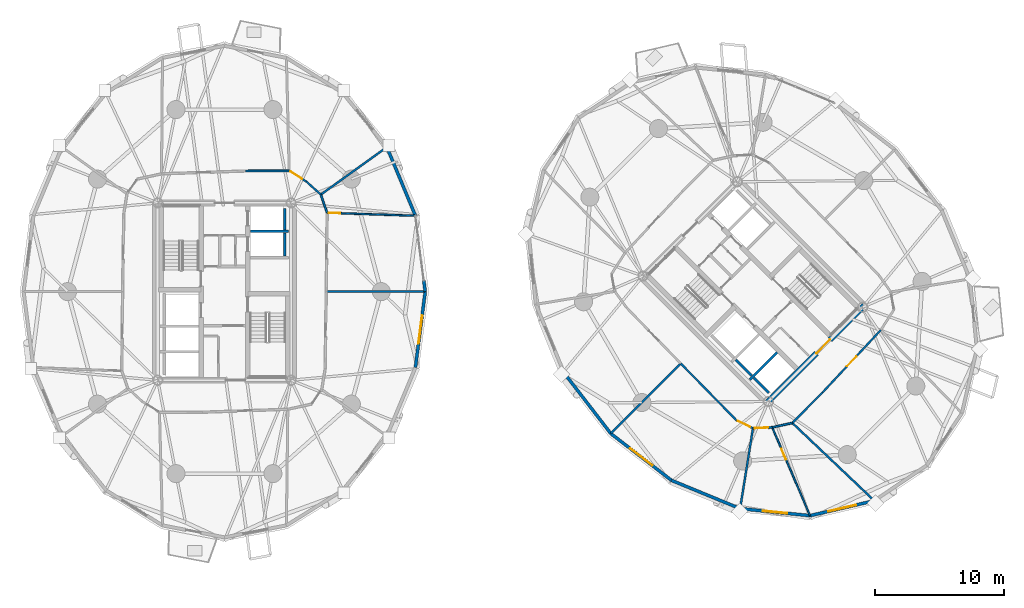
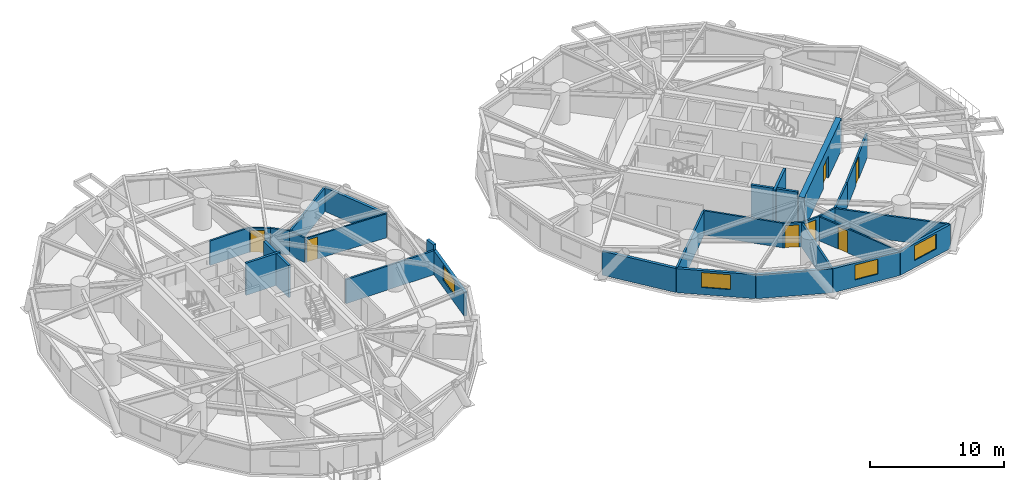
# One storey, part 12 of 19: 32 walls, 7 doors, 4 windows, 11 openings.
"""IFC4 building model written with IfcOpenShell, lengths in metres."""

from ifc_helpers import new_model, si_unit, direction, frame, frame_2d, origin, place, context, subcontext, project, spatial, rectangle, extrude, source, transform, mapped, material, layer, layer_set, type_object, element, fill, save


model = new_model("IFC4")

# Units and contexts
model_context = context("Model", 3, precision=1e-05, world=origin(), true_north=direction((0.0, 1.0)))
body_context = subcontext(model_context, "Body", "Model", "MODEL_VIEW")
ifc_project = project(units=[si_unit("LENGTHUNIT", "METRE"), si_unit("AREAUNIT", "SQUARE_METRE"), si_unit("VOLUMEUNIT", "CUBIC_METRE"), si_unit("PLANEANGLEUNIT", "RADIAN"), si_unit("MASSUNIT", "GRAM", prefix="KILO")], contexts=[model_context])

# Site, building, storey
site_placement = place(None, origin())
site = spatial("IfcSite", under=ifc_project, at=site_placement, CompositionType="ELEMENT")
building_placement = place(site_placement, origin())
building = spatial("IfcBuilding", under=site, at=building_placement, Name="Cununo Teusaquillo Station Towers", CompositionType="ELEMENT")
storey_placement = place(building_placement, frame((0.0, 0.0, 84.699951171875)))
storey = spatial("IfcBuildingStorey", under=building, at=storey_placement, Name="L26", CompositionType="ELEMENT", Elevation=84.699951171875)

# Walls
ifc_material_1 = material(Name="Concrete C50/60", Category="concrete")
ifc_layer_1 = layer(ifc_material_1, 0.199951171875)
ifc_layer_set_1 = layer_set([ifc_layer_1], Name="Concrete C50/60")
wall_type_1 = type_object("IfcWallType", Name="WL-CORE-200", PredefinedType="SHEAR", material=ifc_layer_set_1)
wall_1_placement = place(storey_placement, frame((18.510009765625, 29.175048828125, 0.0), z_axis=(0.0, 0.0, 1.0), x_axis=(1.0, 0.0, 0.0)))
element("IfcWall", 1, at=wall_1_placement, inside=storey, type_object=wall_type_1, Name="L26 Tower A Low-Rise Lift Hoistway Divider Shear Wall", PredefinedType="SHEAR", context=body_context, shape_type="SweptSolid", body=[
    extrude(rectangle(XDim=2.969970703125, YDim=0.199951171875, at=frame_2d((1.48486328125, 0.0))), origin(), (0.0, 0.0, 1.0), 2.91015625),
])
wall_2_placement = place(storey_placement, frame((21.179931640625, 27.25, 0.0), z_axis=(0.0, 0.0, 1.0), x_axis=(0.0, 1.0, 0.0)))
element("IfcWall", 2, at=wall_2_placement, inside=storey, type_object=wall_type_1, Name="L26 Tower A Low-Rise Lift 1 Shaft Rear Shear Wall", PredefinedType="SHEAR", context=body_context, shape_type="SweptSolid", body=[
    extrude(rectangle(XDim=1.804931640625, YDim=0.199951171875, at=frame_2d((0.90234375, 0.0))), origin(), (0.0, 0.0, 1.0), 2.91015625),
])
wall_3_placement = place(storey_placement, frame((21.179931640625, 29.294921875, 0.0), z_axis=(0.0, 0.0, 1.0), x_axis=(0.0, 1.0, 0.0)))
element("IfcWall", 3, at=wall_3_placement, inside=storey, type_object=wall_type_1, Name="L26 Tower A Low-Rise Lift 2 Shaft Rear Shear Wall", PredefinedType="SHEAR", context=body_context, shape_type="SweptSolid", body=[
    extrude(rectangle(XDim=1.635009765625, YDim=0.199951171875, at=frame_2d((0.8173828125, 0.0))), origin(), (0.0, 0.0, 1.0), 2.91015625),
])
wall_4_placement = place(storey_placement, frame((57.2841796875, 17.6728515625, 0.0), z_axis=(0.0, 0.0, 1.0), x_axis=(0.707147878904, 0.70706568108, 0.0)))
element("IfcWall", 4, at=wall_4_placement, inside=storey, type_object=wall_type_1, Name="L26 Tower B High-Rise Lift Hoistway Divider Shear Wall", PredefinedType="SHEAR", context=body_context, shape_type="SweptSolid", body=[
    extrude(rectangle(XDim=2.97021484375, YDim=0.199951171875, at=frame_2d((1.485107421875, 0.0))), origin(), (0.0, 0.0, 1.0), 2.91015625),
])
wall_5_placement = place(storey_placement, frame((57.41162109375, 17.969970703125, 0.0), z_axis=(0.0, 0.0, 1.0), x_axis=(-0.707106781187, 0.707106781187, 0.0)))
element("IfcWall", 5, at=wall_5_placement, inside=storey, type_object=wall_type_1, Name="L26 Tower B High-Rise Lift 2 Shaft Rear Shear Wall", PredefinedType="SHEAR", context=body_context, shape_type="SweptSolid", body=[
    extrude(rectangle(XDim=1.73486328125, YDim=0.199951171875, at=frame_2d((0.867431640625, 0.0))), origin(), (0.0, 0.0, 1.0), 2.91015625),
])
wall_6_placement = place(storey_placement, frame((58.7373046875, 16.64404296875, 0.0), z_axis=(0.0, 0.0, 1.0), x_axis=(-0.707032117043, 0.707181437447, 0.0)))
element("IfcWall", 6, at=wall_6_placement, inside=storey, type_object=wall_type_1, Name="L26 Tower B High-Rise Lift 1 Shaft Rear Shear Wall", PredefinedType="SHEAR", context=body_context, shape_type="SweptSolid", body=[
    extrude(rectangle(XDim=1.635009765625, YDim=0.199951171875, at=frame_2d((0.8173828125, 0.0))), origin(), (0.0, 0.0, 1.0), 2.91015625),
])

# Wall, opening, door
ifc_material_2 = material(Name="Concrete C60/75", Category="concrete")
ifc_layer_2 = layer(ifc_material_2, 0.449951171875)
ifc_layer_set_2 = layer_set([ifc_layer_2], Name="Concrete C60/75")
wall_type_2 = type_object("IfcWallType", Name="WL-CORE-450", PredefinedType="SHEAR", material=ifc_layer_set_2)
wall_7_placement = place(storey_placement, frame((58.578369140625, 15.855712890625, 0.0), z_axis=(0.0, 0.0, 1.0), x_axis=(0.707106781187, 0.707106781187, 0.0)))
wall_7 = element("IfcWall", 7, at=wall_7_placement, inside=storey, type_object=wall_type_2, Name="L26 Tower B Core Shear Wall S", PredefinedType="SHEAR", context=body_context, shape_type="SweptSolid", body=[
    extrude(rectangle(XDim=10.69970703125, YDim=0.449951171875, at=frame_2d((5.349853515625, 0.0))), origin(), (0.0, 0.0, 1.0), 2.91015625),
])
shared_shape_1 = source(origin(), body_context, "Body", "SweptSolid", [
    extrude(rectangle(XDim=1.5, YDim=2.02001953125, at=frame_2d((0.75, 1.010009765625))), frame((0.0, 0.23486328125, 0.0), z_axis=(0.0, -1.0, 0.0), x_axis=(1.0, 0.0, 0.0)), (0.0, 0.0, 1.0), 0.469970703125),
])
opening_1_placement = place(wall_7_placement, frame((5.449951171875, 0.0, 0.0)))
opening_1 = element("IfcOpeningElement", 8, at=opening_1_placement, cuts=wall_7, Name="Opening D-LB1", PredefinedType="OPENING", context=body_context, shape_type="MappedRepresentation", body=[
    mapped(shared_shape_1, transform((0.0, 0.0, 0.0), x_axis=(1.0, 0.0, 0.0), y_axis=(0.0, 1.0, 0.0), z_axis=(0.0, 0.0, 1.0), scale=1.0)),
])
ifc_material_3 = material(Name="Galvanised fire-rated hollow steel door assembly", Category="steel")
door_type_1 = type_object("IfcDoorType", Name="DR-LOBBY-1500", OperationType="DOUBLE_DOOR_SINGLE_SWING", PredefinedType="DOOR", material=ifc_material_3)
shared_shape_2 = source(origin(), body_context, "Body", "SweptSolid", [
    extrude(rectangle(XDim=1.5, YDim=2.02001953125, at=frame_2d((0.75, 1.010009765625))), frame((0.0, 0.02490234375, 0.0), z_axis=(0.0, -1.0, 0.0), x_axis=(1.0, 0.0, 0.0)), (0.0, 0.0, 1.0), 0.050048828125),
])
door_1_placement = place(opening_1_placement, origin())
door_1 = element("IfcDoor", 9, at=door_1_placement, inside=storey, type_object=door_type_1, Name="L26 Tower B South Core Lift Lobby Door", OperationType="DOUBLE_DOOR_SINGLE_SWING", OverallHeight=2.02001953125, OverallWidth=1.5, PredefinedType="DOOR", context=body_context, shape_type="MappedRepresentation", body=[
    mapped(shared_shape_2, transform((0.0, 0.0, 0.0), x_axis=(1.0, 0.0, 0.0), y_axis=(0.0, 1.0, 0.0), z_axis=(0.0, 0.0, 1.0), scale=1.0)),
])
fill(opening_1, door_1)

# Walls
ifc_material_4 = material(Name="Precast concrete C40/50", Category="concrete")
ifc_layer_3 = layer(ifc_material_4, 0.239990234375)
ifc_layer_set_3 = layer_set([ifc_layer_3], Name="Precast concrete C40/50")
wall_type_3 = type_object("IfcWallType", Name="WL-EXT-240", PredefinedType="SOLIDWALL", material=ifc_layer_set_3)
wall_8_placement = place(storey_placement, frame((31.96923828125, 25.36279296875, 0.0), z_axis=(0.0, 0.0, 1.0), x_axis=(0.128523364007, -0.991706481225, 0.0)))
element("IfcWall", 10, at=wall_8_placement, inside=storey, type_object=wall_type_3, Name="L26 Tower A Column Pier Cladding Wall C00-PB", PredefinedType="SOLIDWALL", context=body_context, shape_type="SweptSolid", body=[
    extrude(rectangle(XDim=0.8701171875, YDim=0.239990234375, at=frame_2d((0.43505859375, 0.0))), origin(), (0.0, 0.0, 1.0), 2.655029296875),
])
wall_9_placement = place(storey_placement, frame((29.105224609375, 35.708984375, 0.0), z_axis=(0.0, 0.0, 1.0), x_axis=(0.384344417632, -0.923189779317, 0.0)))
element("IfcWall", 11, at=wall_9_placement, inside=storey, type_object=wall_type_3, Name="L26 Tower A Exterior Facade Wall C01", PredefinedType="SOLIDWALL", context=body_context, shape_type="SweptSolid", body=[
    extrude(rectangle(XDim=5.75830078125, YDim=0.239990234375, at=frame_2d((2.879150390625, 0.0))), origin(), (0.0, 0.0, 1.0), 2.178955078125),
])

# Wall, opening, window
wall_10_placement = place(storey_placement, frame((32.0810546875, 24.5, 0.0), z_axis=(0.0, 0.0, 1.0), x_axis=(-0.128351991996, -0.991728675672, 0.0)))
wall_10 = element("IfcWall", 12, at=wall_10_placement, inside=storey, type_object=wall_type_3, Name="L26 Tower A Exterior Facade Wall C19", PredefinedType="SOLIDWALL", context=body_context, shape_type="SweptSolid", body=[
    extrude(rectangle(XDim=5.942138671875, YDim=0.239990234375, at=frame_2d((2.97119140625, 0.0))), origin(), (0.0, 0.0, 1.0), 2.178955078125),
])
shared_shape_3 = source(origin(), body_context, "Body", "SweptSolid", [
    extrude(rectangle(XDim=2.199951171875, YDim=1.35009765625, at=frame_2d((1.10009765625, 0.675048828125))), frame((0.0, 0.1298828125, 0.0), z_axis=(0.0, -1.0, 0.0), x_axis=(1.0, 0.0, 0.0)), (0.0, 0.0, 1.0), 0.260009765625),
])
opening_2_placement = place(wall_10_placement, frame((1.87109375, 0.0, 0.64990234375)))
opening_2 = element("IfcOpeningElement", 13, at=opening_2_placement, cuts=wall_10, Name="Opening WN-01", PredefinedType="OPENING", context=body_context, shape_type="MappedRepresentation", body=[
    mapped(shared_shape_3, transform((0.0, 0.0, 0.0), x_axis=(1.0, 0.0, 0.0), y_axis=(0.0, 1.0, 0.0), z_axis=(0.0, 0.0, 1.0), scale=1.0)),
])
ifc_material_5 = material(Name="Ceramic-fritted dark low-E double glazing", Category="glass")
window_type_1 = type_object("IfcWindowType", Name="WIN-FRIT-2200", PartitioningType="DOUBLE_PANEL_VERTICAL", PredefinedType="WINDOW", material=ifc_material_5)
shared_shape_4 = source(origin(), body_context, "Body", "SweptSolid", [
    extrude(rectangle(XDim=2.199951171875, YDim=1.35009765625, at=frame_2d((1.10009765625, 0.675048828125))), frame((0.0, 0.030029296875, 0.0), z_axis=(0.0, -1.0, 0.0), x_axis=(1.0, 0.0, 0.0)), (0.0, 0.0, 1.0), 0.06005859375),
])
window_1_placement = place(opening_2_placement, origin())
window_1 = element("IfcWindow", 14, at=window_1_placement, inside=storey, type_object=window_type_1, Name="L26 Tower A Facade Window C19", OverallHeight=1.35009765625, OverallWidth=2.199951171875, PartitioningType="DOUBLE_PANEL_VERTICAL", PredefinedType="WINDOW", context=body_context, shape_type="MappedRepresentation", body=[
    mapped(shared_shape_4, transform((0.0, 0.0, 0.0), x_axis=(1.0, 0.0, 0.0), y_axis=(0.0, 1.0, 0.0), z_axis=(0.0, 0.0, 1.0), scale=1.0)),
])
fill(opening_2, window_1)

# Wall
wall_11_placement = place(storey_placement, frame((46.482666015625, 13.482666015625, 0.0), z_axis=(0.0, 0.0, 1.0), x_axis=(-0.61054437102, 0.791982052206, 0.0)))
element("IfcWall", 15, at=wall_11_placement, inside=storey, type_object=wall_type_3, Name="L26 Tower B Exterior Facade Wall C09", PredefinedType="SOLIDWALL", context=body_context, shape_type="SweptSolid", body=[
    extrude(rectangle(XDim=5.942138671875, YDim=0.239990234375, at=frame_2d((2.97119140625, 0.0))), origin(), (0.0, 0.0, 1.0), 2.178955078125),
])

# Wall, opening, window
wall_12_placement = place(storey_placement, frame((51.188720703125, 9.854736328125, 0.0), z_axis=(0.0, 0.0, 1.0), x_axis=(-0.791982052206, 0.61054437102, 0.0)))
wall_12 = element("IfcWall", 16, at=wall_12_placement, inside=storey, type_object=wall_type_3, Name="L26 Tower B Exterior Facade Wall C10", PredefinedType="SOLIDWALL", context=body_context, shape_type="SweptSolid", body=[
    extrude(rectangle(XDim=5.942138671875, YDim=0.239990234375, at=frame_2d((2.97119140625, 0.0))), origin(), (0.0, 0.0, 1.0), 2.178955078125),
])
opening_3_placement = place(wall_12_placement, frame((1.87109375, 0.0, 0.64990234375)))
opening_3 = element("IfcOpeningElement", 17, at=opening_3_placement, cuts=wall_12, Name="Opening WN-01", PredefinedType="OPENING", context=body_context, shape_type="MappedRepresentation", body=[
    mapped(shared_shape_3, transform((0.0, 0.0, 0.0), x_axis=(1.0, 0.0, 0.0), y_axis=(0.0, 1.0, 0.0), z_axis=(0.0, 0.0, 1.0), scale=1.0)),
])
window_2_placement = place(opening_3_placement, origin())
window_2 = element("IfcWindow", 18, at=window_2_placement, inside=storey, type_object=window_type_1, Name="L26 Tower B Facade Window C10", OverallHeight=1.35009765625, OverallWidth=2.199951171875, PartitioningType="DOUBLE_PANEL_VERTICAL", PredefinedType="WINDOW", context=body_context, shape_type="MappedRepresentation", body=[
    mapped(shared_shape_4, transform((0.0, 0.0, 0.0), x_axis=(1.0, 0.0, 0.0), y_axis=(0.0, 1.0, 0.0), z_axis=(0.0, 0.0, 1.0), scale=1.0)),
])
fill(opening_3, window_2)

# Wall
wall_13_placement = place(storey_placement, frame((56.5126953125, 7.66064453125, 0.0), z_axis=(0.0, 0.0, 1.0), x_axis=(-0.924563909604, 0.381027003055, 0.0)))
element("IfcWall", 19, at=wall_13_placement, inside=storey, type_object=wall_type_3, Name="L26 Tower B Exterior Facade Wall C11", PredefinedType="SOLIDWALL", context=body_context, shape_type="SweptSolid", body=[
    extrude(rectangle(XDim=5.75830078125, YDim=0.239990234375, at=frame_2d((2.879150390625, 0.0))), origin(), (0.0, 0.0, 1.0), 2.178955078125),
])

# Wall, opening, window
wall_14_placement = place(storey_placement, frame((61.933349609375, 7.114990234375, 0.0), z_axis=(0.0, 0.0, 1.0), x_axis=(-0.994971754311, 0.10015591906, 0.0)))
wall_14 = element("IfcWall", 20, at=wall_14_placement, inside=storey, type_object=wall_type_3, Name="L26 Tower B Exterior Facade Wall C12", PredefinedType="SOLIDWALL", context=body_context, shape_type="SweptSolid", body=[
    extrude(rectangle(XDim=5.447998046875, YDim=0.239990234375, at=frame_2d((2.72412109375, 0.0))), origin(), (0.0, 0.0, 1.0), 2.178955078125),
])
shared_shape_5 = source(origin(), body_context, "Body", "SweptSolid", [
    extrude(rectangle(XDim=1.89990234375, YDim=1.35009765625, at=frame_2d((0.949951171875, 0.675048828125))), frame((0.0, 0.1298828125, 0.0), z_axis=(0.0, -1.0, 0.0), x_axis=(1.0, 0.0, 0.0)), (0.0, 0.0, 1.0), 0.260009765625),
])
opening_4_placement = place(wall_14_placement, frame((1.77392578125, 0.0, 0.64990234375)))
opening_4 = element("IfcOpeningElement", 21, at=opening_4_placement, cuts=wall_14, Name="Opening WN-02", PredefinedType="OPENING", context=body_context, shape_type="MappedRepresentation", body=[
    mapped(shared_shape_5, transform((0.0, 0.0, 0.0), x_axis=(1.0, 0.0, 0.0), y_axis=(0.0, 1.0, 0.0), z_axis=(0.0, 0.0, 1.0), scale=1.0)),
])
ifc_material_6 = material(Name="Operable acoustic tinted low-E double glazing", Category="glass")
window_type_2 = type_object("IfcWindowType", Name="WIN-OPER-1900", PartitioningType="DOUBLE_PANEL_VERTICAL", PredefinedType="WINDOW", material=ifc_material_6)
shared_shape_6 = source(origin(), body_context, "Body", "SweptSolid", [
    extrude(rectangle(XDim=1.89990234375, YDim=1.35009765625, at=frame_2d((0.949951171875, 0.675048828125))), frame((0.0, 0.030029296875, 0.0), z_axis=(0.0, -1.0, 0.0), x_axis=(1.0, 0.0, 0.0)), (0.0, 0.0, 1.0), 0.06005859375),
])
window_3_placement = place(opening_4_placement, origin())
window_3 = element("IfcWindow", 22, at=window_3_placement, inside=storey, type_object=window_type_2, Name="L26 Tower B Facade Window C12", OverallHeight=1.35009765625, OverallWidth=1.89990234375, PartitioningType="DOUBLE_PANEL_VERTICAL", PredefinedType="WINDOW", context=body_context, shape_type="MappedRepresentation", body=[
    mapped(shared_shape_6, transform((0.0, 0.0, 0.0), x_axis=(1.0, 0.0, 0.0), y_axis=(0.0, 1.0, 0.0), z_axis=(0.0, 0.0, 1.0), scale=1.0)),
])
fill(opening_4, window_3)

wall_15_placement = place(storey_placement, frame((66.919921875, 8.27099609375, 0.0), z_axis=(0.0, 0.0, 1.0), x_axis=(-0.974165631126, -0.225834725257, 0.0)))
wall_15 = element("IfcWall", 23, at=wall_15_placement, inside=storey, type_object=wall_type_3, Name="L26 Tower B Exterior Facade Wall C13", PredefinedType="SOLIDWALL", context=body_context, shape_type="SweptSolid", body=[
    extrude(rectangle(XDim=5.118896484375, YDim=0.239990234375, at=frame_2d((2.5595703125, 0.0))), origin(), (0.0, 0.0, 1.0), 2.178955078125),
])
opening_5_placement = place(wall_15_placement, frame((1.458984375, 0.0, 0.64990234375)))
opening_5 = element("IfcOpeningElement", 24, at=opening_5_placement, cuts=wall_15, Name="Opening WN-01", PredefinedType="OPENING", context=body_context, shape_type="MappedRepresentation", body=[
    mapped(shared_shape_3, transform((0.0, 0.0, 0.0), x_axis=(1.0, 0.0, 0.0), y_axis=(0.0, 1.0, 0.0), z_axis=(0.0, 0.0, 1.0), scale=1.0)),
])
window_4_placement = place(opening_5_placement, origin())
window_4 = element("IfcWindow", 25, at=window_4_placement, inside=storey, type_object=window_type_1, Name="L26 Tower B Facade Window C13", OverallHeight=1.35009765625, OverallWidth=2.199951171875, PartitioningType="DOUBLE_PANEL_VERTICAL", PredefinedType="WINDOW", context=body_context, shape_type="MappedRepresentation", body=[
    mapped(shared_shape_4, transform((0.0, 0.0, 0.0), x_axis=(1.0, 0.0, 0.0), y_axis=(0.0, 1.0, 0.0), z_axis=(0.0, 0.0, 1.0), scale=1.0)),
])
fill(opening_5, window_4)

# Wall, opening, door
ifc_material_7 = material(Name="Fire-rated gypsum plasterboard partition assembly", Category="gypsum")
ifc_layer_4 = layer(ifc_material_7, 0.125)
ifc_layer_set_4 = layer_set([ifc_layer_4], Name="Fire-rated gypsum plasterboard partition assembly")
wall_type_4 = type_object("IfcWallType", Name="WL-PART-125", PredefinedType="PARTITIONING", material=ifc_layer_set_4)
wall_16_placement = place(storey_placement, frame((24.468994140625, 30.614013671875, 0.0), z_axis=(0.0, 0.0, 1.0), x_axis=(0.999446768925, -0.033258924898, 0.0)))
wall_16 = element("IfcWall", 26, at=wall_16_placement, inside=storey, type_object=wall_type_4, Name="L26 Tower A Senior Partners Law Chambers Suite Subdividing Wall", PredefinedType="PARTITIONING", context=body_context, shape_type="SweptSolid", body=[
    extrude(rectangle(XDim=6.833984375, YDim=0.125, at=frame_2d((3.4169921875, 0.0))), origin(), (0.0, 0.0, 1.0), 2.178955078125),
])
shared_shape_7 = source(origin(), body_context, "Body", "SweptSolid", [
    extrude(rectangle(XDim=0.89990234375, YDim=2.0048828125, at=frame_2d((0.449951171875, 1.00244140625))), frame((0.0, 0.072509765625, 0.0), z_axis=(0.0, -1.0, 0.0), x_axis=(1.0, 0.0, 0.0)), (0.0, 0.0, 1.0), 0.14501953125),
])
opening_6_placement = place(wall_16_placement, frame((0.1201171875, 0.0, 0.0)))
opening_6 = element("IfcOpeningElement", 27, at=opening_6_placement, cuts=wall_16, Name="Opening D-IN1", PredefinedType="OPENING", context=body_context, shape_type="MappedRepresentation", body=[
    mapped(shared_shape_7, transform((0.0, 0.0, 0.0), x_axis=(1.0, 0.0, 0.0), y_axis=(0.0, 1.0, 0.0), z_axis=(0.0, 0.0, 1.0), scale=1.0)),
])
ifc_material_8 = material(Name="Acoustic solid-core hardwood leaf assembly", Category="wood")
door_type_2 = type_object("IfcDoorType", Name="DR-INT-900", OperationType="NOTDEFINED", PredefinedType="DOOR", material=ifc_material_8)
shared_shape_8 = source(origin(), body_context, "Body", "SweptSolid", [
    extrude(rectangle(XDim=0.89990234375, YDim=2.0048828125, at=frame_2d((0.449951171875, 1.00244140625))), frame((0.0, 0.02490234375, 0.0), z_axis=(0.0, -1.0, 0.0), x_axis=(1.0, 0.0, 0.0)), (0.0, 0.0, 1.0), 0.050048828125),
])
door_2_placement = place(opening_6_placement, origin())
door_2 = element("IfcDoor", 28, at=door_2_placement, inside=storey, type_object=door_type_2, Name="L26 Tower A Senior Partners Law Chambers Suite Connecting Door", OperationType="SINGLE_SWING_LEFT", OverallHeight=2.0048828125, OverallWidth=0.89990234375, PredefinedType="DOOR", context=body_context, shape_type="MappedRepresentation", body=[
    mapped(shared_shape_8, transform((0.0, 0.0, 0.0), x_axis=(1.0, 0.0, 0.0), y_axis=(0.0, 1.0, 0.0), z_axis=(0.0, 0.0, 1.0), scale=1.0)),
])
fill(opening_6, door_2)

wall_17_placement = place(storey_placement, frame((59.008056640625, 13.962890625, 0.0), z_axis=(0.0, 0.0, 1.0), x_axis=(0.393439207333, -0.919350635032, 0.0)))
wall_17 = element("IfcWall", 29, at=wall_17_placement, inside=storey, type_object=wall_type_4, Name="L26 Tower B Video Deposition Conference Room Suite Subdividing Wall", PredefinedType="PARTITIONING", context=body_context, shape_type="SweptSolid", body=[
    extrude(rectangle(XDim=7.427001953125, YDim=0.125, at=frame_2d((3.71337890625, 0.0))), origin(), (0.0, 0.0, 1.0), 2.178955078125),
])
opening_7_placement = place(wall_17_placement, frame((1.800048828125, 0.0, 0.0)))
opening_7 = element("IfcOpeningElement", 30, at=opening_7_placement, cuts=wall_17, Name="Opening D-IN1", PredefinedType="OPENING", context=body_context, shape_type="MappedRepresentation", body=[
    mapped(shared_shape_7, transform((0.0, 0.0, 0.0), x_axis=(1.0, 0.0, 0.0), y_axis=(0.0, 1.0, 0.0), z_axis=(0.0, 0.0, 1.0), scale=1.0)),
])
door_3_placement = place(opening_7_placement, origin())
door_3 = element("IfcDoor", 31, at=door_3_placement, inside=storey, type_object=door_type_2, Name="L26 Tower B Video Deposition Conference Room Suite Connecting Door", OperationType="SINGLE_SWING_RIGHT", OverallHeight=2.0048828125, OverallWidth=0.89990234375, PredefinedType="DOOR", context=body_context, shape_type="MappedRepresentation", body=[
    mapped(shared_shape_8, transform((0.0, 0.0, 0.0), x_axis=(1.0, 0.0, 0.0), y_axis=(0.0, 1.0, 0.0), z_axis=(0.0, 0.0, 1.0), scale=1.0)),
])
fill(opening_7, door_3)

# Walls
ifc_material_9 = material(Name="Fire-rated gypsum plasterboard partition assembly", Category="gypsum")
ifc_layer_5 = layer(ifc_material_9, 0.14990234375)
ifc_layer_set_5 = layer_set([ifc_layer_5], Name="Fire-rated gypsum plasterboard partition assembly")
wall_type_5 = type_object("IfcWallType", Name="WL-PART-150", PredefinedType="PARTITIONING", material=ifc_layer_set_5)
wall_18_placement = place(storey_placement, frame((24.468994140625, 30.614013671875, 0.0), z_axis=(0.0, 0.0, 1.0), x_axis=(-0.327228335485, 0.944945298129, 0.0)))
element("IfcWall", 32, at=wall_18_placement, inside=storey, type_object=wall_type_5, Name="L26 Tower A Corridor Ring Wall C01", PredefinedType="PARTITIONING", context=body_context, shape_type="SweptSolid", body=[
    extrude(rectangle(XDim=1.4951171875, YDim=0.14990234375, at=frame_2d((0.74755859375, 0.0))), origin(), (0.0, 0.0, 1.0), 2.22509765625),
])
wall_19_placement = place(storey_placement, frame((23.979736328125, 32.02685546875, 0.0), z_axis=(0.0, 0.0, 1.0), x_axis=(-0.742353224332, 0.670008724065, 0.0)))
element("IfcWall", 33, at=wall_19_placement, inside=storey, type_object=wall_type_5, Name="L26 Tower A Corridor Ring Wall C02", PredefinedType="PARTITIONING", context=body_context, shape_type="SweptSolid", body=[
    extrude(rectangle(XDim=1.48486328125, YDim=0.14990234375, at=frame_2d((0.742431640625, 0.0))), origin(), (0.0, 0.0, 1.0), 2.22509765625),
])

# Wall, opening, door
wall_20_placement = place(storey_placement, frame((22.87744140625, 33.021728515625, 0.0), z_axis=(0.0, 0.0, 1.0), x_axis=(-0.845895608855, 0.533348496689, 0.0)))
wall_20 = element("IfcWall", 34, at=wall_20_placement, inside=storey, type_object=wall_type_5, Name="L26 Tower A Corridor Ring Wall C03", PredefinedType="PARTITIONING", context=body_context, shape_type="SweptSolid", body=[
    extrude(rectangle(XDim=1.5966796875, YDim=0.14990234375, at=frame_2d((0.79833984375, 0.0))), origin(), (0.0, 0.0, 1.0), 2.22509765625),
])
shared_shape_9 = source(origin(), body_context, "Body", "SweptSolid", [
    extrude(rectangle(XDim=1.050048828125, YDim=2.014892578125, at=frame_2d((0.52490234375, 1.00732421875))), frame((0.0, 0.0849609375, 0.0), z_axis=(0.0, -1.0, 0.0), x_axis=(1.0, 0.0, 0.0)), (0.0, 0.0, 1.0), 0.169921875),
])
opening_8_placement = place(wall_20_placement, frame((0.4267578125, 0.0, 0.0)))
opening_8 = element("IfcOpeningElement", 35, at=opening_8_placement, cuts=wall_20, Name="Opening D-SU1", PredefinedType="OPENING", context=body_context, shape_type="MappedRepresentation", body=[
    mapped(shared_shape_9, transform((0.0, 0.0, 0.0), x_axis=(1.0, 0.0, 0.0), y_axis=(0.0, 1.0, 0.0), z_axis=(0.0, 0.0, 1.0), scale=1.0)),
])
ifc_material_10 = material(Name="Acoustic solid-core hardwood leaf assembly", Category="wood")
door_type_3 = type_object("IfcDoorType", Name="DR-SUITE-1050", OperationType="NOTDEFINED", PredefinedType="DOOR", material=ifc_material_10)
shared_shape_10 = source(origin(), body_context, "Body", "SweptSolid", [
    extrude(rectangle(XDim=1.050048828125, YDim=2.014892578125, at=frame_2d((0.52490234375, 1.00732421875))), frame((0.0, 0.02490234375, 0.0), z_axis=(0.0, -1.0, 0.0), x_axis=(1.0, 0.0, 0.0)), (0.0, 0.0, 1.0), 0.050048828125),
])
door_4_placement = place(opening_8_placement, origin())
door_4 = element("IfcDoor", 36, at=door_4_placement, inside=storey, type_object=door_type_3, Name="L26 Tower A Legal Arbitration Hearing Room Entrance Door", OperationType="SINGLE_SWING_RIGHT", OverallHeight=2.014892578125, OverallWidth=1.050048828125, PredefinedType="DOOR", context=body_context, shape_type="MappedRepresentation", body=[
    mapped(shared_shape_10, transform((0.0, 0.0, 0.0), x_axis=(1.0, 0.0, 0.0), y_axis=(0.0, 1.0, 0.0), z_axis=(0.0, 0.0, 1.0), scale=1.0)),
])
fill(opening_8, door_4)

# Walls
wall_21_placement = place(storey_placement, frame((21.52685546875, 33.873291015625, 0.0), z_axis=(0.0, 0.0, 1.0), x_axis=(-0.999991838845, -0.004040079574, 0.0)))
element("IfcWall", 37, at=wall_21_placement, inside=storey, type_object=wall_type_5, Name="L26 Tower A Corridor Ring Wall C04", PredefinedType="PARTITIONING", context=body_context, shape_type="SweptSolid", body=[
    extrude(rectangle(XDim=3.384033203125, YDim=0.14990234375, at=frame_2d((1.69189453125, 0.0))), origin(), (0.0, 0.0, 1.0), 2.22509765625),
])
wall_22_placement = place(storey_placement, frame((51.913818359375, 18.913818359375, 0.0), z_axis=(0.0, 0.0, 1.0), x_axis=(0.699999313799, -0.714143515465, 0.0)))
element("IfcWall", 38, at=wall_22_placement, inside=storey, type_object=wall_type_5, Name="L26 Tower B Corridor Ring Wall C10", PredefinedType="PARTITIONING", context=body_context, shape_type="SweptSolid", body=[
    extrude(rectangle(XDim=6.162109375, YDim=0.14990234375, at=frame_2d((3.0810546875, 0.0))), origin(), (0.0, 0.0, 1.0), 2.22509765625),
])

# Wall, opening, door
wall_23_placement = place(storey_placement, frame((56.227294921875, 14.51318359375, 0.0), z_axis=(0.0, 0.0, 1.0), x_axis=(0.901477579283, -0.432825801044, 0.0)))
wall_23 = element("IfcWall", 39, at=wall_23_placement, inside=storey, type_object=wall_type_5, Name="L26 Tower B Corridor Ring Wall C11", PredefinedType="PARTITIONING", context=body_context, shape_type="SweptSolid", body=[
    extrude(rectangle(XDim=1.42431640625, YDim=0.14990234375, at=frame_2d((0.712158203125, 0.0))), origin(), (0.0, 0.0, 1.0), 2.22509765625),
])
opening_9_placement = place(wall_23_placement, frame((0.1201171875, 0.0, 0.0)))
opening_9 = element("IfcOpeningElement", 40, at=opening_9_placement, cuts=wall_23, Name="Opening D-SU1", PredefinedType="OPENING", context=body_context, shape_type="MappedRepresentation", body=[
    mapped(shared_shape_9, transform((0.0, 0.0, 0.0), x_axis=(1.0, 0.0, 0.0), y_axis=(0.0, 1.0, 0.0), z_axis=(0.0, 0.0, 1.0), scale=1.0)),
])
door_5_placement = place(opening_9_placement, origin())
door_5 = element("IfcDoor", 41, at=door_5_placement, inside=storey, type_object=door_type_3, Name="L26 Tower B Managing Partner Corner Chambers Entrance Door", OperationType="SINGLE_SWING_RIGHT", OverallHeight=2.014892578125, OverallWidth=1.050048828125, PredefinedType="DOOR", context=body_context, shape_type="MappedRepresentation", body=[
    mapped(shared_shape_10, transform((0.0, 0.0, 0.0), x_axis=(1.0, 0.0, 0.0), y_axis=(0.0, 1.0, 0.0), z_axis=(0.0, 0.0, 1.0), scale=1.0)),
])
fill(opening_9, door_5)

wall_24_placement = place(storey_placement, frame((57.51123046875, 13.896728515625, 0.0), z_axis=(0.0, 0.0, 1.0), x_axis=(0.999024538494, 0.044158481476, 0.0)))
wall_24 = element("IfcWall", 42, at=wall_24_placement, inside=storey, type_object=wall_type_5, Name="L26 Tower B Corridor Ring Wall C12", PredefinedType="PARTITIONING", context=body_context, shape_type="SweptSolid", body=[
    extrude(rectangle(XDim=1.498291015625, YDim=0.14990234375, at=frame_2d((0.7490234375, 0.0))), origin(), (0.0, 0.0, 1.0), 2.22509765625),
])
opening_10_placement = place(wall_24_placement, frame((0.1201171875, 0.0, 0.0)))
opening_10 = element("IfcOpeningElement", 43, at=opening_10_placement, cuts=wall_24, Name="Opening D-SU1", PredefinedType="OPENING", context=body_context, shape_type="MappedRepresentation", body=[
    mapped(shared_shape_9, transform((0.0, 0.0, 0.0), x_axis=(1.0, 0.0, 0.0), y_axis=(0.0, 1.0, 0.0), z_axis=(0.0, 0.0, 1.0), scale=1.0)),
])
door_6_placement = place(opening_10_placement, origin())
door_6 = element("IfcDoor", 44, at=door_6_placement, inside=storey, type_object=door_type_3, Name="L26 Tower B Video Deposition Conference Room Entrance Door", OperationType="SINGLE_SWING_LEFT", OverallHeight=2.014892578125, OverallWidth=1.050048828125, PredefinedType="DOOR", context=body_context, shape_type="MappedRepresentation", body=[
    mapped(shared_shape_10, transform((0.0, 0.0, 0.0), x_axis=(1.0, 0.0, 0.0), y_axis=(0.0, 1.0, 0.0), z_axis=(0.0, 0.0, 1.0), scale=1.0)),
])
fill(opening_10, door_6)

# Walls
wall_25_placement = place(storey_placement, frame((59.008056640625, 13.962890625, 0.0), z_axis=(0.0, 0.0, 1.0), x_axis=(0.976020856791, 0.21767702476, 0.0)))
element("IfcWall", 45, at=wall_25_placement, inside=storey, type_object=wall_type_5, Name="L26 Tower B Corridor Ring Wall C13", PredefinedType="PARTITIONING", context=body_context, shape_type="SweptSolid", body=[
    extrude(rectangle(XDim=1.592529296875, YDim=0.14990234375, at=frame_2d((0.79638671875, 0.0))), origin(), (0.0, 0.0, 1.0), 2.22509765625),
])
wall_26_placement = place(storey_placement, frame((60.5625, 14.3095703125, 0.0), z_axis=(0.0, 0.0, 1.0), x_axis=(0.704566236161, 0.709638230975, 0.0)))
element("IfcWall", 46, at=wall_26_placement, inside=storey, type_object=wall_type_5, Name="L26 Tower B Corridor Ring Wall C14", PredefinedType="PARTITIONING", context=body_context, shape_type="SweptSolid", body=[
    extrude(rectangle(XDim=3.3212890625, YDim=0.14990234375, at=frame_2d((1.66064453125, 0.0))), origin(), (0.0, 0.0, 1.0), 2.22509765625),
])

# Wall, opening, door
wall_27_placement = place(storey_placement, frame((62.902587890625, 16.66650390625, 0.0), z_axis=(0.0, 0.0, 1.0), x_axis=(0.682371947497, 0.731005147225, 0.0)))
wall_27 = element("IfcWall", 47, at=wall_27_placement, inside=storey, type_object=wall_type_5, Name="L26 Tower B Corridor Ring Wall C15", PredefinedType="PARTITIONING", context=body_context, shape_type="SweptSolid", body=[
    extrude(rectangle(XDim=6.6416015625, YDim=0.14990234375, at=frame_2d((3.32080078125, 0.0))), origin(), (0.0, 0.0, 1.0), 2.22509765625),
])
opening_11_placement = place(wall_27_placement, frame((2.7958984375, 0.0, 0.0)))
opening_11 = element("IfcOpeningElement", 48, at=opening_11_placement, cuts=wall_27, Name="Opening D-SU1", PredefinedType="OPENING", context=body_context, shape_type="MappedRepresentation", body=[
    mapped(shared_shape_9, transform((0.0, 0.0, 0.0), x_axis=(1.0, 0.0, 0.0), y_axis=(0.0, 1.0, 0.0), z_axis=(0.0, 0.0, 1.0), scale=1.0)),
])
door_7_placement = place(opening_11_placement, origin())
door_7 = element("IfcDoor", 49, at=door_7_placement, inside=storey, type_object=door_type_3, Name="L26 Tower B Client Hospitality Pantry Entrance Door", OperationType="SINGLE_SWING_LEFT", OverallHeight=2.014892578125, OverallWidth=1.050048828125, PredefinedType="DOOR", context=body_context, shape_type="MappedRepresentation", body=[
    mapped(shared_shape_10, transform((0.0, 0.0, 0.0), x_axis=(1.0, 0.0, 0.0), y_axis=(0.0, 1.0, 0.0), z_axis=(0.0, 0.0, 1.0), scale=1.0)),
])
fill(opening_11, door_7)

# Walls
ifc_material_11 = material(Name="Fire-rated gypsum plasterboard partition assembly", Category="gypsum")
ifc_layer_6 = layer(ifc_material_11, 0.159912109375)
ifc_layer_set_6 = layer_set([ifc_layer_6], Name="Fire-rated gypsum plasterboard partition assembly")
wall_type_6 = type_object("IfcWallType", Name="WL-PART-160", PredefinedType="PARTITIONING", material=ifc_layer_set_6)
wall_28_placement = place(storey_placement, frame((24.39990234375, 24.5, 0.0), z_axis=(0.0, 0.0, 1.0), x_axis=(1.0, 0.0, 0.0)))
element("IfcWall", 50, at=wall_28_placement, inside=storey, type_object=wall_type_6, Name="L26 Tower A Radial Suite Partition R01", PredefinedType="PARTITIONING", context=body_context, shape_type="SweptSolid", body=[
    extrude(rectangle(XDim=7.6611328125, YDim=0.159912109375, at=frame_2d((3.83056640625, 0.0))), origin(), (0.0, 0.0, 1.0), 2.178955078125),
])
wall_29_placement = place(storey_placement, frame((23.979736328125, 32.02685546875, 0.0), z_axis=(0.0, 0.0, 1.0), x_axis=(0.812162479031, 0.58343132214, 0.0)))
element("IfcWall", 51, at=wall_29_placement, inside=storey, type_object=wall_type_6, Name="L26 Tower A Radial Suite Partition R02", PredefinedType="PARTITIONING", context=body_context, shape_type="SweptSolid", body=[
    extrude(rectangle(XDim=6.291015625, YDim=0.159912109375, at=frame_2d((3.1455078125, 0.0))), origin(), (0.0, 0.0, 1.0), 2.178955078125),
])
wall_30_placement = place(storey_placement, frame((51.913818359375, 18.913818359375, 0.0), z_axis=(0.0, 0.0, 1.0), x_axis=(-0.707106781187, -0.707106781187, 0.0)))
element("IfcWall", 52, at=wall_30_placement, inside=storey, type_object=wall_type_6, Name="L26 Tower B Radial Suite Partition R06", PredefinedType="PARTITIONING", context=body_context, shape_type="SweptSolid", body=[
    extrude(rectangle(XDim=7.6611328125, YDim=0.159912109375, at=frame_2d((3.83056640625, 0.0))), origin(), (0.0, 0.0, 1.0), 2.178955078125),
])
wall_31_placement = place(storey_placement, frame((57.51123046875, 13.896728515625, 0.0), z_axis=(0.0, 0.0, 1.0), x_axis=(-0.15810696167, -0.987421991183, 0.0)))
element("IfcWall", 53, at=wall_31_placement, inside=storey, type_object=wall_type_6, Name="L26 Tower B Radial Suite Partition R07", PredefinedType="PARTITIONING", context=body_context, shape_type="SweptSolid", body=[
    extrude(rectangle(XDim=6.29541015625, YDim=0.159912109375, at=frame_2d((3.147705078125, 0.0))), origin(), (0.0, 0.0, 1.0), 2.178955078125),
])
wall_32_placement = place(storey_placement, frame((60.5625, 14.3095703125, 0.0), z_axis=(0.0, 0.0, 1.0), x_axis=(0.725582293335, -0.688135404989, 0.0)))
element("IfcWall", 54, at=wall_32_placement, inside=storey, type_object=wall_type_6, Name="L26 Tower B Radial Suite Partition R08", PredefinedType="PARTITIONING", context=body_context, shape_type="SweptSolid", body=[
    extrude(rectangle(XDim=8.749267578125, YDim=0.159912109375, at=frame_2d((4.37451171875, 0.0))), origin(), (0.0, 0.0, 1.0), 2.178955078125),
])

save(model, "model.ifc")
